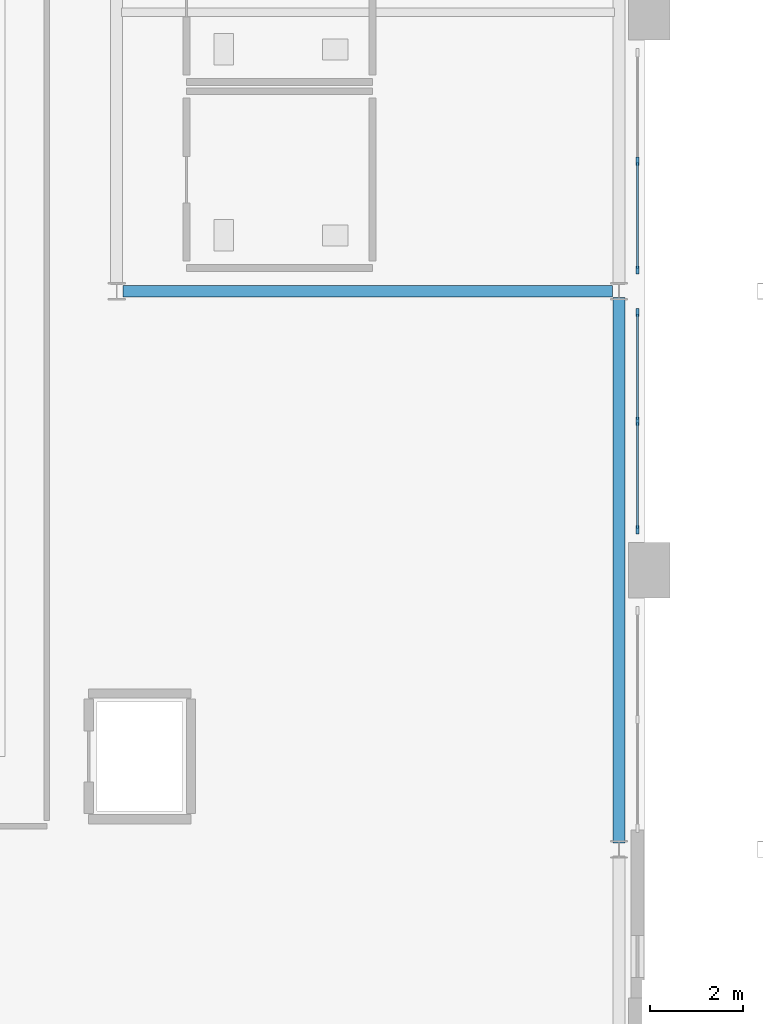
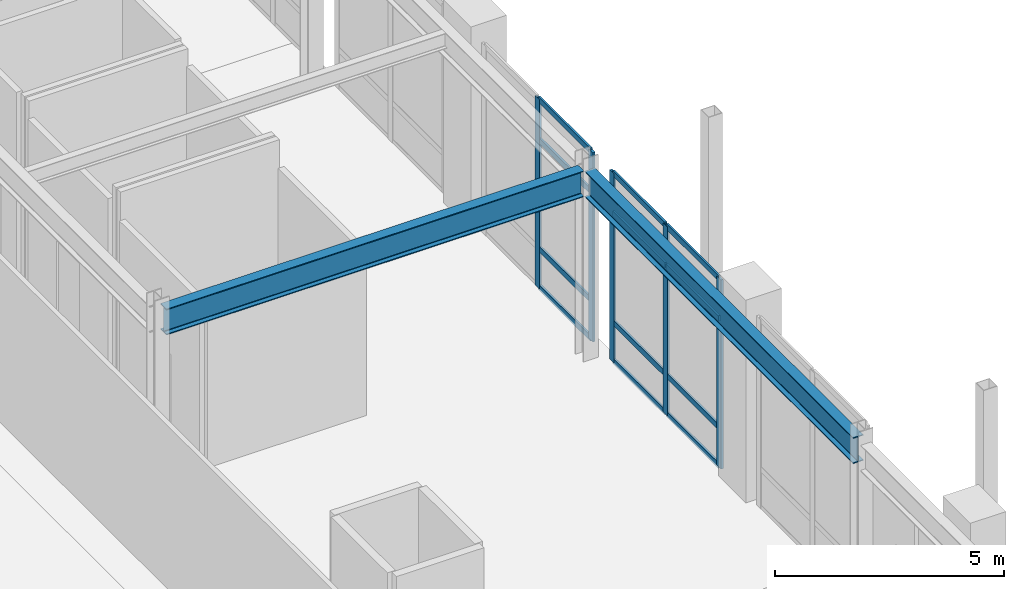
# One storey, part 68 of 159: 17 members, 2 beams, 2 elements without a shape of their own.
"""IFC4 building model written with IfcOpenShell, lengths in metres."""

from ifc_helpers import new_model, si_unit, derived_unit, direction, frame, origin, origin_2d, place, context, subcontext, project, spatial, rectangle, i_section, extrude, material, layer, layer_set, material_profile, profile_set, type_object, element, aggregate, save


model = new_model("IFC4")

# Units and contexts
model_context = context("Model", 3, precision=1e-05, world=origin(), true_north=direction((0.0, 1.0)))
body_context = subcontext(model_context, "Body", "Model", "MODEL_VIEW")
ifc_project = project(units=[si_unit("LENGTHUNIT", "METRE"), si_unit("AREAUNIT", "SQUARE_METRE"), si_unit("VOLUMEUNIT", "CUBIC_METRE"), si_unit("PLANEANGLEUNIT", "RADIAN"), si_unit("MASSUNIT", "GRAM", prefix="KILO"), derived_unit("THERMALTRANSMITTANCEUNIT", [(si_unit("MASSUNIT", "GRAM", prefix="KILO"), 1), (si_unit("TIMEUNIT", "SECOND"), -3), (si_unit("THERMODYNAMICTEMPERATUREUNIT", "KELVIN"), -1)])], contexts=[model_context])

# Site, building, storey
site_placement = place(None, origin())
site = spatial("IfcSite", under=ifc_project, at=site_placement, CompositionType="ELEMENT")
building_placement = place(site_placement, origin())
building = spatial("IfcBuilding", under=site, at=building_placement, Name="Valcora Ridge Arena", CompositionType="ELEMENT")
storey_placement = place(building_placement, frame((0.0, 0.0, 6.0)))
storey = spatial("IfcBuildingStorey", under=building, at=storey_placement, Name="L01", CompositionType="ELEMENT", Elevation=6.0)

# Beams
ifc_material_1 = material(Name="Steel ASTM A572 Grade 50", Category="steel")
ifc_material_profile_1 = material_profile(ifc_material_1, i_section(OverallWidth=0.256103515625, OverallDepth=0.693115234375, WebThickness=0.014404296875, FlangeThickness=0.023681640625, FilletRadius=0.02001953125, at=origin_2d()), Name="W27X114")
ifc_profile_set_1 = profile_set([ifc_material_profile_1], Name="Steel ASTM A572 Grade 50")
beam_type_1 = type_object("IfcBeamType", Name="TY-BEAM-G-W27X114-X", PredefinedType="BEAM", material=ifc_profile_set_1)
beam_1_placement = place(storey_placement, frame((176.139892578125, 28.0, 4.693603515625), z_axis=(1.0, 0.0, 0.0), x_axis=(0.0, 1.0, 0.0)))
element("IfcBeam", 1, at=beam_1_placement, inside=storey, type_object=beam_type_1, Name="G-W27X114-X BEM-G-W27X114-X-0028", PredefinedType="BEAM", context=body_context, shape_type="SweptSolid", body=[
    extrude(i_section(OverallWidth=0.256103515625, OverallDepth=0.693115234375, WebThickness=0.014404296875, FlangeThickness=0.023681640625, FilletRadius=0.02001953125, at=origin_2d()), origin(), (0.0, 0.0, 1.0), 10.52001953125),
])
ifc_material_profile_2 = material_profile(ifc_material_1, i_section(OverallWidth=0.256103515625, OverallDepth=0.693115234375, WebThickness=0.014404296875, FlangeThickness=0.023681640625, FilletRadius=0.02001953125, at=origin_2d()), Name="W27X114")
ifc_profile_set_2 = profile_set([ifc_material_profile_2], Name="Steel ASTM A572 Grade 50")
beam_type_2 = type_object("IfcBeamType", Name="TY-BEAM-G-W27X114-Y", PredefinedType="BEAM", material=ifc_profile_set_2)
beam_2_placement = place(storey_placement, frame((186.800048828125, 16.139892578125, 4.693603515625), z_axis=(0.0, 1.0, 0.0), x_axis=(-1.0, 0.0, 0.0)))
element("IfcBeam", 2, at=beam_2_placement, inside=storey, type_object=beam_type_2, Name="G-W27X114-Y BEM-G-W27X114-Y-0054", PredefinedType="BEAM", context=body_context, shape_type="SweptSolid", body=[
    extrude(i_section(OverallWidth=0.256103515625, OverallDepth=0.693115234375, WebThickness=0.014404296875, FlangeThickness=0.023681640625, FilletRadius=0.02001953125, at=origin_2d()), origin(), (0.0, 0.0, 1.0), 11.72021484375),
])

# Curtain wall, members
ifc_material_2 = material(Name="Anodised dark bronze architectural aluminium 6063-T6", Category="aluminium")
ifc_layer = layer(ifc_material_2, 0.179931640625, Name="Anodised dark bronze architectural aluminium 6063-T6")
ifc_layer_set = layer_set([ifc_layer], Name="Anodised dark bronze architectural aluminium 6063-T6")
curtain_wall_type = type_object("IfcCurtainWallType", Name="TY-CURTAINWALL-CW-V2-GLAZ-047X50", PredefinedType="NOTDEFINED", material=ifc_layer_set)
curtain_wall_1_placement = place(storey_placement, origin())
curtain_wall_1 = element("IfcCurtainWall", 3, at=curtain_wall_1_placement, inside=storey, type_object=curtain_wall_type, Name="CW-V2-GLAZ-047X50 CW-0050", PredefinedType="NOTDEFINED")
ifc_material_profile_3 = material_profile(ifc_material_2, rectangle(XDim=0.06005859375, YDim=0.179931640625, at=origin_2d()), Name="ALU MULLION 60x180")
ifc_profile_set_3 = profile_set([ifc_material_profile_3], Name="Anodised dark bronze architectural aluminium 6063-T6")
member_type_1 = type_object("IfcMemberType", Name="TY-MEM-CWM-60x180", PredefinedType="MULLION", material=ifc_profile_set_3)
member_1_placement = place(storey_placement, frame((187.199951171875, 22.8701171875, 0.0), z_axis=(0.0, 0.0, 1.0), x_axis=(-1.0, 0.0, 0.0)))
member_1 = element("IfcMember", 4, at=member_1_placement, type_object=member_type_1, Name="CW-0050/CWM-60x180/M00", PredefinedType="MULLION", context=body_context, shape_type="SweptSolid", body=[
    extrude(rectangle(XDim=0.06005859375, YDim=0.179931640625, at=origin_2d()), origin(), (0.0, 0.0, 1.0), 5.0400390625),
])
member_2_placement = place(storey_placement, frame((187.199951171875, 25.206787109375, 0.0), z_axis=(0.0, 0.0, 1.0), x_axis=(-1.0, 0.0, 0.0)))
member_2 = element("IfcMember", 5, at=member_2_placement, type_object=member_type_1, Name="CW-0050/CWM-60x180/M01", PredefinedType="MULLION", context=body_context, shape_type="SweptSolid", body=[
    extrude(rectangle(XDim=0.06005859375, YDim=0.179931640625, at=origin_2d()), origin(), (0.0, 0.0, 1.0), 5.0400390625),
])
member_3_placement = place(storey_placement, frame((187.199951171875, 27.54345703125, 0.0), z_axis=(0.0, 0.0, 1.0), x_axis=(-1.0, 0.0, 0.0)))
member_3 = element("IfcMember", 6, at=member_3_placement, type_object=member_type_1, Name="CW-0050/CWM-60x180/M02", PredefinedType="MULLION", context=body_context, shape_type="SweptSolid", body=[
    extrude(rectangle(XDim=0.06005859375, YDim=0.179931640625, at=origin_2d()), origin(), (0.0, 0.0, 1.0), 5.0400390625),
])

curtain_wall_2_placement = place(storey_placement, origin())
curtain_wall_2 = element("IfcCurtainWall", 7, at=curtain_wall_2_placement, inside=storey, type_object=curtain_wall_type, Name="CW-V2-GLAZ-047X50 CW-0051", PredefinedType="NOTDEFINED")
member_4_placement = place(storey_placement, frame((187.199951171875, 28.45654296875, 0.0), z_axis=(0.0, 0.0, 1.0), x_axis=(-1.0, 0.0, 0.0)))
member_4 = element("IfcMember", 8, at=member_4_placement, type_object=member_type_1, Name="CW-0051/CWM-60x180/M00", PredefinedType="MULLION", context=body_context, shape_type="SweptSolid", body=[
    extrude(rectangle(XDim=0.06005859375, YDim=0.179931640625, at=origin_2d()), origin(), (0.0, 0.0, 1.0), 5.0400390625),
])
member_5_placement = place(storey_placement, frame((187.199951171875, 30.793212890625, 0.0), z_axis=(0.0, 0.0, 1.0), x_axis=(-1.0, 0.0, 0.0)))
member_5 = element("IfcMember", 9, at=member_5_placement, type_object=member_type_1, Name="CW-0051/CWM-60x180/M01", PredefinedType="MULLION", context=body_context, shape_type="SweptSolid", body=[
    extrude(rectangle(XDim=0.06005859375, YDim=0.179931640625, at=origin_2d()), origin(), (0.0, 0.0, 1.0), 5.0400390625),
])

# Member
ifc_material_profile_4 = material_profile(ifc_material_2, rectangle(XDim=0.050048828125, YDim=0.14990234375, at=origin_2d()), Name="ALU TRANSOM 50x150")
ifc_profile_set_4 = profile_set([ifc_material_profile_4], Name="Anodised dark bronze architectural aluminium 6063-T6")
member_type_2 = type_object("IfcMemberType", Name="TY-MEM-CWT-50x150", PredefinedType="USERDEFINED", material=ifc_profile_set_4)
member_6_placement = place(storey_placement, frame((187.199951171875, 22.89990234375, 0.02490234375), z_axis=(0.0, 1.0, 0.0), x_axis=(-1.0, 0.0, 0.0)))
member_6 = element("IfcMember", 10, at=member_6_placement, type_object=member_type_2, Name="CW-0050/CWT-50x150/T00-00", ObjectType="TRANSOM", PredefinedType="USERDEFINED", context=body_context, shape_type="SweptSolid", body=[
    extrude(rectangle(XDim=0.050048828125, YDim=0.14990234375, at=origin_2d()), origin(), (0.0, 0.0, 1.0), 2.277099609375),
])

member_7_placement = place(storey_placement, frame((187.199951171875, 22.89990234375, 1.050048828125), z_axis=(0.0, 1.0, 0.0), x_axis=(-1.0, 0.0, 0.0)))
member_7 = element("IfcMember", 11, at=member_7_placement, type_object=member_type_2, Name="CW-0050/CWT-50x150/T00-01", ObjectType="TRANSOM", PredefinedType="USERDEFINED", context=body_context, shape_type="SweptSolid", body=[
    extrude(rectangle(XDim=0.050048828125, YDim=0.14990234375, at=origin_2d()), origin(), (0.0, 0.0, 1.0), 2.277099609375),
])

member_8_placement = place(storey_placement, frame((187.199951171875, 22.89990234375, 3.93994140625), z_axis=(0.0, 1.0, 0.0), x_axis=(-1.0, 0.0, 0.0)))
member_8 = element("IfcMember", 12, at=member_8_placement, type_object=member_type_2, Name="CW-0050/CWT-50x150/T00-02", ObjectType="TRANSOM", PredefinedType="USERDEFINED", context=body_context, shape_type="SweptSolid", body=[
    extrude(rectangle(XDim=0.050048828125, YDim=0.14990234375, at=origin_2d()), origin(), (0.0, 0.0, 1.0), 2.277099609375),
])

member_9_placement = place(storey_placement, frame((187.199951171875, 22.89990234375, 5.014892578125), z_axis=(0.0, 1.0, 0.0), x_axis=(-1.0, 0.0, 0.0)))
member_9 = element("IfcMember", 13, at=member_9_placement, type_object=member_type_2, Name="CW-0050/CWT-50x150/T00-03", ObjectType="TRANSOM", PredefinedType="USERDEFINED", context=body_context, shape_type="SweptSolid", body=[
    extrude(rectangle(XDim=0.050048828125, YDim=0.14990234375, at=origin_2d()), origin(), (0.0, 0.0, 1.0), 2.277099609375),
])

member_10_placement = place(storey_placement, frame((187.199951171875, 25.237060546875, 0.02490234375), z_axis=(0.0, 1.0, 0.0), x_axis=(-1.0, 0.0, 0.0)))
member_10 = element("IfcMember", 14, at=member_10_placement, type_object=member_type_2, Name="CW-0050/CWT-50x150/T01-00", ObjectType="TRANSOM", PredefinedType="USERDEFINED", context=body_context, shape_type="SweptSolid", body=[
    extrude(rectangle(XDim=0.050048828125, YDim=0.14990234375, at=origin_2d()), origin(), (0.0, 0.0, 1.0), 2.27587890625),
])

member_11_placement = place(storey_placement, frame((187.199951171875, 25.237060546875, 1.050048828125), z_axis=(0.0, 1.0, 0.0), x_axis=(-1.0, 0.0, 0.0)))
member_11 = element("IfcMember", 15, at=member_11_placement, type_object=member_type_2, Name="CW-0050/CWT-50x150/T01-01", ObjectType="TRANSOM", PredefinedType="USERDEFINED", context=body_context, shape_type="SweptSolid", body=[
    extrude(rectangle(XDim=0.050048828125, YDim=0.14990234375, at=origin_2d()), origin(), (0.0, 0.0, 1.0), 2.27587890625),
])

member_12_placement = place(storey_placement, frame((187.199951171875, 25.237060546875, 3.93994140625), z_axis=(0.0, 1.0, 0.0), x_axis=(-1.0, 0.0, 0.0)))
member_12 = element("IfcMember", 16, at=member_12_placement, type_object=member_type_2, Name="CW-0050/CWT-50x150/T01-02", ObjectType="TRANSOM", PredefinedType="USERDEFINED", context=body_context, shape_type="SweptSolid", body=[
    extrude(rectangle(XDim=0.050048828125, YDim=0.14990234375, at=origin_2d()), origin(), (0.0, 0.0, 1.0), 2.27587890625),
])

member_13_placement = place(storey_placement, frame((187.199951171875, 25.237060546875, 5.014892578125), z_axis=(0.0, 1.0, 0.0), x_axis=(-1.0, 0.0, 0.0)))
member_13 = element("IfcMember", 17, at=member_13_placement, type_object=member_type_2, Name="CW-0050/CWT-50x150/T01-03", ObjectType="TRANSOM", PredefinedType="USERDEFINED", context=body_context, shape_type="SweptSolid", body=[
    extrude(rectangle(XDim=0.050048828125, YDim=0.14990234375, at=origin_2d()), origin(), (0.0, 0.0, 1.0), 2.27587890625),
])

aggregate(curtain_wall_1, [member_1, member_2, member_3, member_6, member_7, member_8, member_9, member_10, member_11, member_12, member_13])

member_14_placement = place(storey_placement, frame((187.199951171875, 28.486572265625, 0.02490234375), z_axis=(0.0, 1.0, 0.0), x_axis=(-1.0, 0.0, 0.0)))
member_14 = element("IfcMember", 18, at=member_14_placement, type_object=member_type_2, Name="CW-0051/CWT-50x150/T00-00", ObjectType="TRANSOM", PredefinedType="USERDEFINED", context=body_context, shape_type="SweptSolid", body=[
    extrude(rectangle(XDim=0.050048828125, YDim=0.14990234375, at=origin_2d()), origin(), (0.0, 0.0, 1.0), 2.27685546875),
])

member_15_placement = place(storey_placement, frame((187.199951171875, 28.486572265625, 1.050048828125), z_axis=(0.0, 1.0, 0.0), x_axis=(-1.0, 0.0, 0.0)))
member_15 = element("IfcMember", 19, at=member_15_placement, type_object=member_type_2, Name="CW-0051/CWT-50x150/T00-01", ObjectType="TRANSOM", PredefinedType="USERDEFINED", context=body_context, shape_type="SweptSolid", body=[
    extrude(rectangle(XDim=0.050048828125, YDim=0.14990234375, at=origin_2d()), origin(), (0.0, 0.0, 1.0), 2.27685546875),
])

member_16_placement = place(storey_placement, frame((187.199951171875, 28.486572265625, 3.93994140625), z_axis=(0.0, 1.0, 0.0), x_axis=(-1.0, 0.0, 0.0)))
member_16 = element("IfcMember", 20, at=member_16_placement, type_object=member_type_2, Name="CW-0051/CWT-50x150/T00-02", ObjectType="TRANSOM", PredefinedType="USERDEFINED", context=body_context, shape_type="SweptSolid", body=[
    extrude(rectangle(XDim=0.050048828125, YDim=0.14990234375, at=origin_2d()), origin(), (0.0, 0.0, 1.0), 2.27685546875),
])

member_17_placement = place(storey_placement, frame((187.199951171875, 28.486572265625, 5.014892578125), z_axis=(0.0, 1.0, 0.0), x_axis=(-1.0, 0.0, 0.0)))
member_17 = element("IfcMember", 21, at=member_17_placement, type_object=member_type_2, Name="CW-0051/CWT-50x150/T00-03", ObjectType="TRANSOM", PredefinedType="USERDEFINED", context=body_context, shape_type="SweptSolid", body=[
    extrude(rectangle(XDim=0.050048828125, YDim=0.14990234375, at=origin_2d()), origin(), (0.0, 0.0, 1.0), 2.27685546875),
])

aggregate(curtain_wall_2, [member_4, member_5, member_14, member_15, member_16, member_17])

save(model, "model.ifc")
